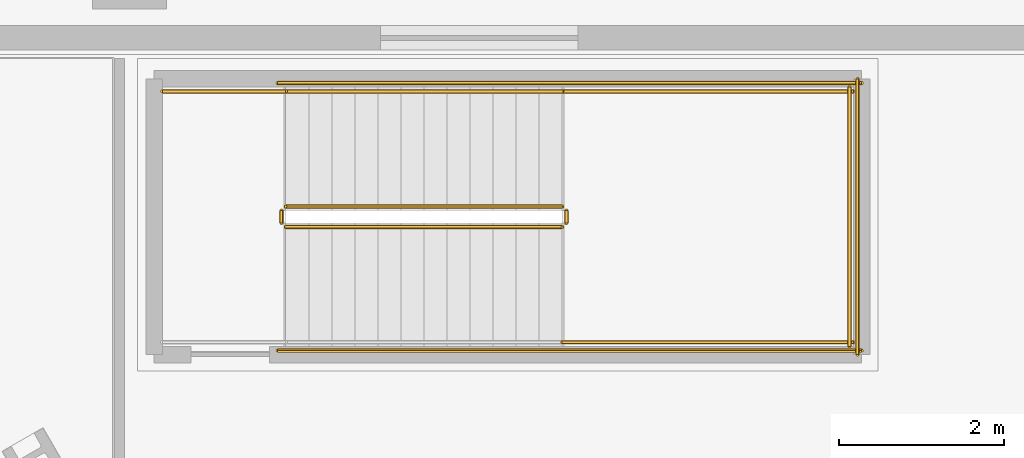
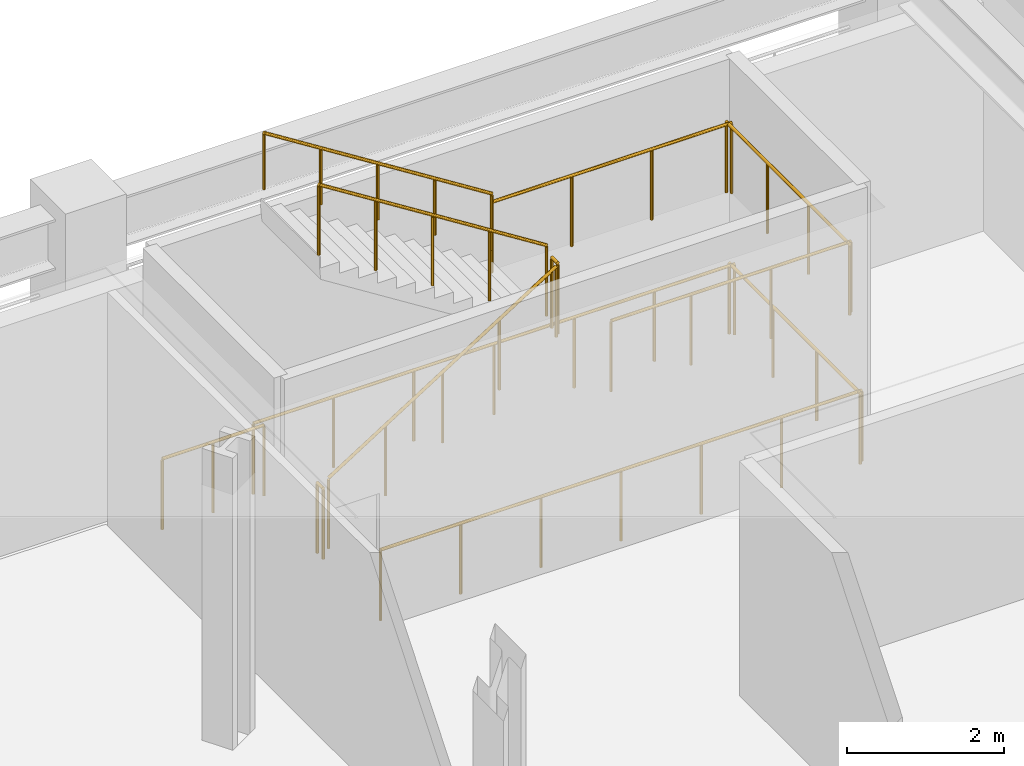
# One storey, part 17 of 18: 12 railings.
"""IFC4 building model written with IfcOpenShell, lengths in metres."""

import ifcopenshell
import ifcopenshell.guid

model = None  # the IFC model being written
_history = None  # IfcOwnerHistory: only IFC2X3 demands one
_inside = {}  # id of a spatial element -> (the spatial element, [elements in it])
_under = {}  # id of a project, library or spatial element -> (it, [spatial elements below it])
_declared = {}  # id of a project -> (the project, [libraries it declares])
_typed = {}  # id of a type object -> (the type object, [elements of that type])
_made_of = {}  # id of a material, layer set ... -> (it, [elements and type objects made of it])


def new_model(schema):
    """Start an empty IFC model of exactly this schema.

    Asked for "IFC4X3", IfcOpenShell would pick the latest addendum, in which some entities
    have other attributes; the version numbers below select the first issue.
    IFC2X3 requires an IfcOwnerHistory on every rooted entity: one is made here for all.
    """
    global model, _history
    if schema == "IFC4X3":
        model = ifcopenshell.file(schema_version=(4, 3, 0, 0))
    else:
        model = ifcopenshell.file(schema=schema)
    _inside.clear()
    _under.clear()
    _declared.clear()
    _typed.clear()
    _made_of.clear()
    _history = None
    if model.schema == "IFC2X3":
        org = make("IfcOrganization", Name="unknown")
        user = make(
            "IfcPersonAndOrganization",
            ThePerson=make("IfcPerson", FamilyName="unknown"),
            TheOrganization=org,
        )
        app = make(
            "IfcApplication",
            ApplicationDeveloper=org,
            Version="unknown",
            ApplicationFullName="unknown",
            ApplicationIdentifier="unknown",
        )
        _history = make(
            "IfcOwnerHistory",
            OwningUser=user,
            OwningApplication=app,
            ChangeAction="ADDED",
            CreationDate=0,
        )
    return model


def make(cls, **values):
    """One entity of the class cls with the attributes given. An attribute that is None is left unset."""
    return model.create_entity(
        cls, **{name: value for name, value in values.items() if value is not None}
    )


def rooted(cls, **values):
    """An entity with a GlobalId (a new one), such as an element, a storey or a relation."""
    return make(cls, GlobalId=ifcopenshell.guid.new(), OwnerHistory=_history, **values)


def si_unit(unit_type, name, prefix=None):
    """IfcSIUnit, for example si_unit("LENGTHUNIT", "METRE", prefix="MILLI")."""
    return make("IfcSIUnit", UnitType=unit_type, Prefix=prefix, Name=name)


def assignment(units):
    """IfcUnitAssignment: the units of a project."""
    return None if units is None else make("IfcUnitAssignment", Units=units)


def point(xyz):
    """IfcCartesianPoint."""
    return None if xyz is None else make("IfcCartesianPoint", Coordinates=xyz)


def direction(xyz):
    """IfcDirection."""
    return None if xyz is None else make("IfcDirection", DirectionRatios=xyz)


def frame(location, z_axis=None, x_axis=None):
    """IfcAxis2Placement3D, a coordinate frame: its origin and axes. An axis left out is left unset."""
    return make(
        "IfcAxis2Placement3D",
        Location=point(location),
        Axis=direction(z_axis),
        RefDirection=direction(x_axis),
    )


def frame_2d(location, x_axis=None):
    """IfcAxis2Placement2D, a coordinate frame in the plane: its origin and x axis."""
    return make(
        "IfcAxis2Placement2D", Location=point(location), RefDirection=direction(x_axis)
    )


def origin():
    """The frame at (0, 0, 0) with its axes left unset."""
    return frame((0.0, 0.0, 0.0))


def origin_2d():
    """The frame at (0, 0) in the plane with its x axis left unset."""
    return frame_2d((0.0, 0.0))


def place(relative_to, where):
    """IfcLocalPlacement: puts the frame where relative to a parent placement (None: the world)."""
    return make(
        "IfcLocalPlacement", PlacementRelTo=relative_to, RelativePlacement=where
    )


def context(
    kind, dimensions, precision=None, world=None, true_north=None, identifier=None
):
    """IfcGeometricRepresentationContext, for example the 3D "Model" context."""
    return make(
        "IfcGeometricRepresentationContext",
        ContextIdentifier=identifier,
        ContextType=kind,
        CoordinateSpaceDimension=dimensions,
        Precision=precision,
        WorldCoordinateSystem=world,
        TrueNorth=true_north,
    )


def subcontext(parent, identifier, kind, view, scale=None):
    """IfcGeometricRepresentationSubContext, for example "Body" below "Model"."""
    return make(
        "IfcGeometricRepresentationSubContext",
        ContextIdentifier=identifier,
        ContextType=kind,
        ParentContext=parent,
        TargetScale=scale,
        TargetView=view,
    )


def project(units=None, contexts=None):
    """IfcProject with its units and contexts."""
    return rooted(
        "IfcProject",
        Name="project",
        RepresentationContexts=contexts,
        UnitsInContext=assignment(units),
    )


def spatial(cls, under=None, at=None, **own):
    """A site, building, storey or space (cls), placed at a placement, below another one or the project."""
    s = rooted(cls, ObjectPlacement=at, **own)
    if under is not None:
        _under.setdefault(under.id(), (under, []))[1].append(s)
    return s


def profile(cls, at=None, kind="AREA", **sizes):
    """A parametric profile (cls). Its sizes go by their IFC names, for example OverallWidth=200.0."""
    return make(cls, ProfileType=kind, Position=at, **sizes)


def circle(**sizes):
    """IfcCircleProfileDef."""
    return profile("IfcCircleProfileDef", **sizes)


def extrude(swept, where, along, depth):
    """IfcExtrudedAreaSolid: the profile swept, set in the frame where, extruded along a direction by depth."""
    return make(
        "IfcExtrudedAreaSolid",
        SweptArea=swept,
        Position=where,
        ExtrudedDirection=direction(along),
        Depth=depth,
    )


def shape(context_of_items, identifier, shape_type, items):
    """IfcShapeRepresentation: the items that make up one representation, for example the "Body"."""
    return make(
        "IfcShapeRepresentation",
        ContextOfItems=context_of_items,
        RepresentationIdentifier=identifier,
        RepresentationType=shape_type,
        Items=items,
    )


def material(Name=None, Category=None):
    """IfcMaterial."""
    return make("IfcMaterial", Name=Name, Category=Category)


def made_of(thing, what):
    """Note that an element or type object is made of a material, layer set ...; save() writes the relation."""
    if what is not None:
        _made_of.setdefault(what.id(), (what, []))[1].append(thing)
    return thing


def type_object(cls, material=None, **own):
    """A type object (cls), such as IfcWallType, which elements share."""
    return made_of(rooted(cls, **own), material)


def element(
    cls,
    number,
    at=None,
    inside=None,
    cuts=None,
    type_object=None,
    material=None,
    context=None,
    identifier="Body",
    shape_type=None,
    held_by="IfcProductDefinitionShape",
    body=None,
    shapes=None,
    **own,
):
    """One element of the class cls, such as IfcWall. Its Tag is "e" and its number.

    at: its placement. inside: the storey or other place that contains it. cuts: it is an
    opening in that element (IfcRelVoidsElement). A single representation is given by context,
    identifier, shape_type and body (its items); several are given by shapes. held_by: the class
    of the entity that holds the representations. save() writes the other relations.
    """
    e = rooted(cls, Tag="e%d" % number, ObjectPlacement=at, **own)
    if body is not None:
        shapes = [shape(context, identifier, shape_type, body)]
    if shapes is not None:
        e.Representation = make(held_by, Representations=shapes)
    if inside is not None:
        _inside.setdefault(inside.id(), (inside, []))[1].append(e)
    if cuts is not None:
        rooted(
            "IfcRelVoidsElement", RelatingBuildingElement=cuts, RelatedOpeningElement=e
        )
    if type_object is not None:
        _typed.setdefault(type_object.id(), (type_object, []))[1].append(e)
    return made_of(e, material)


def aggregate(whole, parts):
    """IfcRelAggregates: a whole, such as a stair, and the parts it consists of."""
    return rooted("IfcRelAggregates", RelatingObject=whole, RelatedObjects=parts)


def save(model, path):
    """Write the relations noted so far, then the file.

    IfcRelAggregates (storeys below a building ...), IfcRelContainedInSpatialStructure (elements
    in a storey), IfcRelDefinesByType, IfcRelAssociatesMaterial and IfcRelDeclares: one each for
    every whole, place, type object, material and project.
    """
    for whole, parts in _under.values():
        aggregate(whole, parts)
    for where, things in _inside.values():
        rooted(
            "IfcRelContainedInSpatialStructure",
            RelatedElements=things,
            RelatingStructure=where,
        )
    for kind, things in _typed.values():
        rooted("IfcRelDefinesByType", RelatedObjects=things, RelatingType=kind)
    for what, things in _made_of.values():
        rooted("IfcRelAssociatesMaterial", RelatedObjects=things, RelatingMaterial=what)
    for by, libraries in _declared.values():
        rooted("IfcRelDeclares", RelatingContext=by, RelatedDefinitions=libraries)
    model.write(path)


model = new_model("IFC4")

# Units and contexts
model_context = context("Model", 3, precision=1e-05, world=origin(), true_north=direction((0.0, 1.0)))
body_context = subcontext(model_context, "Body", "Model", "MODEL_VIEW")
ifc_project = project(units=[si_unit("LENGTHUNIT", "METRE"), si_unit("AREAUNIT", "SQUARE_METRE"), si_unit("VOLUMEUNIT", "CUBIC_METRE"), si_unit("PLANEANGLEUNIT", "RADIAN"), si_unit("MASSUNIT", "GRAM", prefix="KILO")], contexts=[model_context])

# Site, building, storey
site_placement = place(None, origin())
site = spatial("IfcSite", under=ifc_project, at=site_placement, CompositionType="ELEMENT")
building_placement = place(site_placement, origin())
building = spatial("IfcBuilding", under=site, at=building_placement, Name="Valkerne Bourse Tower", CompositionType="ELEMENT")
storey_placement = place(building_placement, frame((0.0, 0.0, 10.199951171875)))
storey = spatial("IfcBuildingStorey", under=building, at=storey_placement, Name="L02", CompositionType="ELEMENT", Elevation=10.199951171875)

# Railings
ifc_material_1 = material(Name="Galvanised Painted Steel", Category="steel")
railing_type_1 = type_object("IfcRailingType", Name="RLG-ST-GUARD-1120", PredefinedType="GUARDRAIL", material=ifc_material_1)
railing_1_placement = place(storey_placement, frame((65.699951171875, 50.449951171875, 0.177001953125)))
element("IfcRailing", 1, at=railing_1_placement, inside=storey, type_object=railing_type_1, Name="L02 ST-P2 stair guard 1", PredefinedType="GUARDRAIL", context=body_context, shape_type="SweptSolid", body=[
    extrude(circle(Radius=0.02392578125, at=origin_2d()), frame((0.0, 0.0, 1.09619140625), z_axis=(0.845389635667, 0.0, 0.534150132366), x_axis=(0.0, 1.0, 0.0)), (0.0, 0.0, 1.0), 3.974609375),
    extrude(circle(Radius=0.02099609375, at=origin_2d()), origin(), (0.0, 0.0, 1.0), 1.072021484375),
    extrude(circle(Radius=0.02099609375, at=origin_2d()), frame((0.840087890625, 0.0, 0.53076171875)), (0.0, 0.0, 1.0), 1.072021484375),
    extrude(circle(Radius=0.02099609375, at=origin_2d()), frame((1.68017578125, 0.0, 1.0615234375)), (0.0, 0.0, 1.0), 1.072021484375),
    extrude(circle(Radius=0.02099609375, at=origin_2d()), frame((2.52001953125, 0.0, 1.59228515625)), (0.0, 0.0, 1.0), 1.072021484375),
    extrude(circle(Radius=0.02099609375, at=origin_2d()), frame((3.360107421875, 0.0, 2.123046875)), (0.0, 0.0, 1.0), 1.072021484375),
])
railing_2_placement = place(storey_placement, frame((69.110107421875, 50.5, 2.300048828125)))
element("IfcRailing", 2, at=railing_2_placement, inside=storey, type_object=railing_type_1, Name="L02 ST-P2 stair guard 2", PredefinedType="GUARDRAIL", context=body_context, shape_type="SweptSolid", body=[
    extrude(circle(Radius=0.02392578125, at=origin_2d()), frame((0.0, 0.0, 1.09619140625), z_axis=(0.0, 1.0, 0.0), x_axis=(-1.0, 0.0, 0.0)), (0.0, 0.0, 1.0), 0.14990234375),
    extrude(circle(Radius=0.02099609375, at=origin_2d()), origin(), (0.0, 0.0, 1.0), 1.072021484375),
    extrude(circle(Radius=0.02099609375, at=origin_2d()), frame((0.0, 0.14990234375, 0.0)), (0.0, 0.0, 1.0), 1.072021484375),
])
for number, where, name in (
    (3, (69.06005859375, 49.050048828125, 2.300048828125), "L02 ST-P2 stair guard 3"),
    (4, (69.06005859375, 52.10009765625, 2.300048828125), "L02 ST-P2 stair guard 4"),
):
    element("IfcRailing", number, at=place(storey_placement, frame(where)), inside=storey, type_object=railing_type_1, Name=name, PredefinedType="GUARDRAIL", context=body_context, shape_type="SweptSolid", body=[
        extrude(circle(Radius=0.02392578125, at=origin_2d()), frame((0.0, 0.0, 1.09619140625), z_axis=(1.0, 0.0, 0.0), x_axis=(0.0, 1.0, 0.0)), (0.0, 0.0, 1.0), 3.5400390625),
        extrude(circle(Radius=0.02099609375, at=origin_2d()), origin(), (0.0, 0.0, 1.0), 1.072021484375),
        extrude(circle(Radius=0.02099609375, at=origin_2d()), frame((1.179931640625, 0.0, 0.0)), (0.0, 0.0, 1.0), 1.072021484375),
        extrude(circle(Radius=0.02099609375, at=origin_2d()), frame((2.360107421875, 0.0, 0.0)), (0.0, 0.0, 1.0), 1.072021484375),
        extrude(circle(Radius=0.02099609375, at=origin_2d()), frame((3.5400390625, 0.0, 0.0)), (0.0, 0.0, 1.0), 1.072021484375),
    ])
railing_3_placement = place(storey_placement, frame((72.550048828125, 49.0, 2.300048828125)))
element("IfcRailing", 5, at=railing_3_placement, inside=storey, type_object=railing_type_1, Name="L02 ST-P2 stair guard 5", PredefinedType="GUARDRAIL", context=body_context, shape_type="SweptSolid", body=[
    extrude(circle(Radius=0.02392578125, at=origin_2d()), frame((0.0, 0.0, 1.09619140625), z_axis=(0.0, 1.0, 0.0), x_axis=(-1.0, 0.0, 0.0)), (0.0, 0.0, 1.0), 3.14990234375),
    extrude(circle(Radius=0.02099609375, at=origin_2d()), origin(), (0.0, 0.0, 1.0), 1.072021484375),
    extrude(circle(Radius=0.02099609375, at=origin_2d()), frame((0.0, 1.050048828125, 0.0)), (0.0, 0.0, 1.0), 1.072021484375),
    extrude(circle(Radius=0.02099609375, at=origin_2d()), frame((0.0, 2.099853515625, 0.0)), (0.0, 0.0, 1.0), 1.072021484375),
    extrude(circle(Radius=0.02099609375, at=origin_2d()), frame((0.0, 3.14990234375, 0.0)), (0.0, 0.0, 1.0), 1.072021484375),
])
railing_4_placement = place(storey_placement, frame((69.06005859375, 50.699951171875, 2.47705078125)))
element("IfcRailing", 6, at=railing_4_placement, inside=storey, type_object=railing_type_1, Name="L02 ST-P2 stair guard 6", PredefinedType="GUARDRAIL", context=body_context, shape_type="SweptSolid", body=[
    extrude(circle(Radius=0.02392578125, at=origin_2d()), frame((0.0, 0.0, 1.09619140625), z_axis=(-0.845389635667, 0.0, 0.534150132366), x_axis=(0.0, -1.0, 0.0)), (0.0, 0.0, 1.0), 3.974609375),
    extrude(circle(Radius=0.02099609375, at=origin_2d()), origin(), (0.0, 0.0, 1.0), 1.072021484375),
    extrude(circle(Radius=0.02099609375, at=origin_2d()), frame((-0.840087890625, 0.0, 0.53076171875)), (0.0, 0.0, 1.0), 1.072021484375),
    extrude(circle(Radius=0.02099609375, at=origin_2d()), frame((-1.68017578125, 0.0, 1.0615234375)), (0.0, 0.0, 1.0), 1.072021484375),
    extrude(circle(Radius=0.02099609375, at=origin_2d()), frame((-2.52001953125, 0.0, 1.59228515625)), (0.0, 0.0, 1.0), 1.072021484375),
    extrude(circle(Radius=0.02099609375, at=origin_2d()), frame((-3.360107421875, 0.0, 2.123046875)), (0.0, 0.0, 1.0), 1.072021484375),
])
railing_5_placement = place(storey_placement, frame((65.64990234375, 50.5, 0.0)))
element("IfcRailing", 7, at=railing_5_placement, inside=storey, type_object=railing_type_1, Name="L02 ST-P2 stair guard 7", PredefinedType="GUARDRAIL", context=body_context, shape_type="SweptSolid", body=[
    extrude(circle(Radius=0.02392578125, at=origin_2d()), frame((0.0, 0.0, 1.09619140625), z_axis=(0.0, 1.0, 0.0), x_axis=(-1.0, 0.0, 0.0)), (0.0, 0.0, 1.0), 0.14990234375),
    extrude(circle(Radius=0.02099609375, at=origin_2d()), origin(), (0.0, 0.0, 1.0), 1.072021484375),
    extrude(circle(Radius=0.02099609375, at=origin_2d()), frame((0.0, 0.14990234375, 0.0)), (0.0, 0.0, 1.0), 1.072021484375),
])
railing_6_placement = place(storey_placement, frame((64.199951171875, 52.10009765625, 0.0)))
element("IfcRailing", 8, at=railing_6_placement, inside=storey, type_object=railing_type_1, Name="L02 ST-P2 stair guard 9", PredefinedType="GUARDRAIL", context=body_context, shape_type="SweptSolid", body=[
    extrude(circle(Radius=0.02392578125, at=origin_2d()), frame((0.0, 0.0, 1.09619140625), z_axis=(1.0, 0.0, 0.0), x_axis=(0.0, 1.0, 0.0)), (0.0, 0.0, 1.0), 1.5),
    extrude(circle(Radius=0.02099609375, at=origin_2d()), origin(), (0.0, 0.0, 1.0), 1.072021484375),
    extrude(circle(Radius=0.02099609375, at=origin_2d()), frame((0.75, 0.0, 0.0)), (0.0, 0.0, 1.0), 1.072021484375),
    extrude(circle(Radius=0.02099609375, at=origin_2d()), frame((1.5, 0.0, 0.0)), (0.0, 0.0, 1.0), 1.072021484375),
])
for number, where, name in (
    (9, (65.60009765625, 48.949951171875, 0.0), "L02 ST-P2 stair guard 10"),
    (10, (65.60009765625, 52.199951171875, 0.0), "L02 ST-P2 stair guard 11"),
):
    element("IfcRailing", number, at=place(storey_placement, frame(where)), inside=storey, type_object=railing_type_1, Name=name, PredefinedType="GUARDRAIL", context=body_context, shape_type="SweptSolid", body=[
        extrude(circle(Radius=0.02392578125, at=origin_2d()), frame((0.0, 0.0, 1.09619140625), z_axis=(1.0, 0.0, 0.0), x_axis=(0.0, 1.0, 0.0)), (0.0, 0.0, 1.0), 7.099853515625),
        extrude(circle(Radius=0.02099609375, at=origin_2d()), origin(), (0.0, 0.0, 1.0), 1.072021484375),
        extrude(circle(Radius=0.02099609375, at=origin_2d()), frame((1.183349609375, 0.0, 0.0)), (0.0, 0.0, 1.0), 1.072021484375),
        extrude(circle(Radius=0.02099609375, at=origin_2d()), frame((2.36669921875, 0.0, 0.0)), (0.0, 0.0, 1.0), 1.072021484375),
        extrude(circle(Radius=0.02099609375, at=origin_2d()), frame((3.5498046875, 0.0, 0.0)), (0.0, 0.0, 1.0), 1.072021484375),
        extrude(circle(Radius=0.02099609375, at=origin_2d()), frame((4.733154296875, 0.0, 0.0)), (0.0, 0.0, 1.0), 1.072021484375),
        extrude(circle(Radius=0.02099609375, at=origin_2d()), frame((5.91650390625, 0.0, 0.0)), (0.0, 0.0, 1.0), 1.072021484375),
        extrude(circle(Radius=0.02099609375, at=origin_2d()), frame((7.099853515625, 0.0, 0.0)), (0.0, 0.0, 1.0), 1.072021484375),
    ])
railing_7_placement = place(storey_placement, frame((72.64990234375, 48.89990234375, 0.0)))
element("IfcRailing", 11, at=railing_7_placement, inside=storey, type_object=railing_type_1, Name="L02 ST-P2 stair guard 12", PredefinedType="GUARDRAIL", context=body_context, shape_type="SweptSolid", body=[
    extrude(circle(Radius=0.02392578125, at=origin_2d()), frame((0.0, 0.0, 1.09619140625), z_axis=(0.0, 1.0, 0.0), x_axis=(-1.0, 0.0, 0.0)), (0.0, 0.0, 1.0), 3.35009765625),
    extrude(circle(Radius=0.02099609375, at=origin_2d()), origin(), (0.0, 0.0, 1.0), 1.072021484375),
    extrude(circle(Radius=0.02099609375, at=origin_2d()), frame((0.0, 1.11669921875, 0.0)), (0.0, 0.0, 1.0), 1.072021484375),
    extrude(circle(Radius=0.02099609375, at=origin_2d()), frame((0.0, 2.2333984375, 0.0)), (0.0, 0.0, 1.0), 1.072021484375),
    extrude(circle(Radius=0.02099609375, at=origin_2d()), frame((0.0, 3.35009765625, 0.0)), (0.0, 0.0, 1.0), 1.072021484375),
])
ifc_material_2 = material(Name="Stainless Steel AISI 316", Category="steel")
railing_type_2 = type_object("IfcRailingType", Name="RLG-ST-HANDRAIL-900", PredefinedType="HANDRAIL", material=ifc_material_2)
railing_8_placement = place(storey_placement, frame((69.06005859375, 52.10009765625, 2.65380859375)))
element("IfcRailing", 12, at=railing_8_placement, inside=storey, type_object=railing_type_2, Name="L02 ST-P2 stair handrail 2", PredefinedType="HANDRAIL", context=body_context, shape_type="SweptSolid", body=[
    extrude(circle(Radius=0.02392578125, at=origin_2d()), frame((0.0, 0.0, 0.8759765625), z_axis=(-0.845389635667, 0.0, 0.534150132366), x_axis=(0.0, -1.0, 0.0)), (0.0, 0.0, 1.0), 3.974609375),
    extrude(circle(Radius=0.02099609375, at=origin_2d()), origin(), (0.0, 0.0, 1.0), 0.851806640625),
    extrude(circle(Radius=0.02099609375, at=origin_2d()), frame((-0.840087890625, 0.0, 0.53076171875)), (0.0, 0.0, 1.0), 0.851806640625),
    extrude(circle(Radius=0.02099609375, at=origin_2d()), frame((-1.68017578125, 0.0, 1.0615234375)), (0.0, 0.0, 1.0), 0.851806640625),
    extrude(circle(Radius=0.02099609375, at=origin_2d()), frame((-2.52001953125, 0.0, 1.59228515625)), (0.0, 0.0, 1.0), 0.851806640625),
    extrude(circle(Radius=0.02099609375, at=origin_2d()), frame((-3.360107421875, 0.0, 2.123046875)), (0.0, 0.0, 1.0), 0.851806640625),
])

save(model, "model.ifc")
